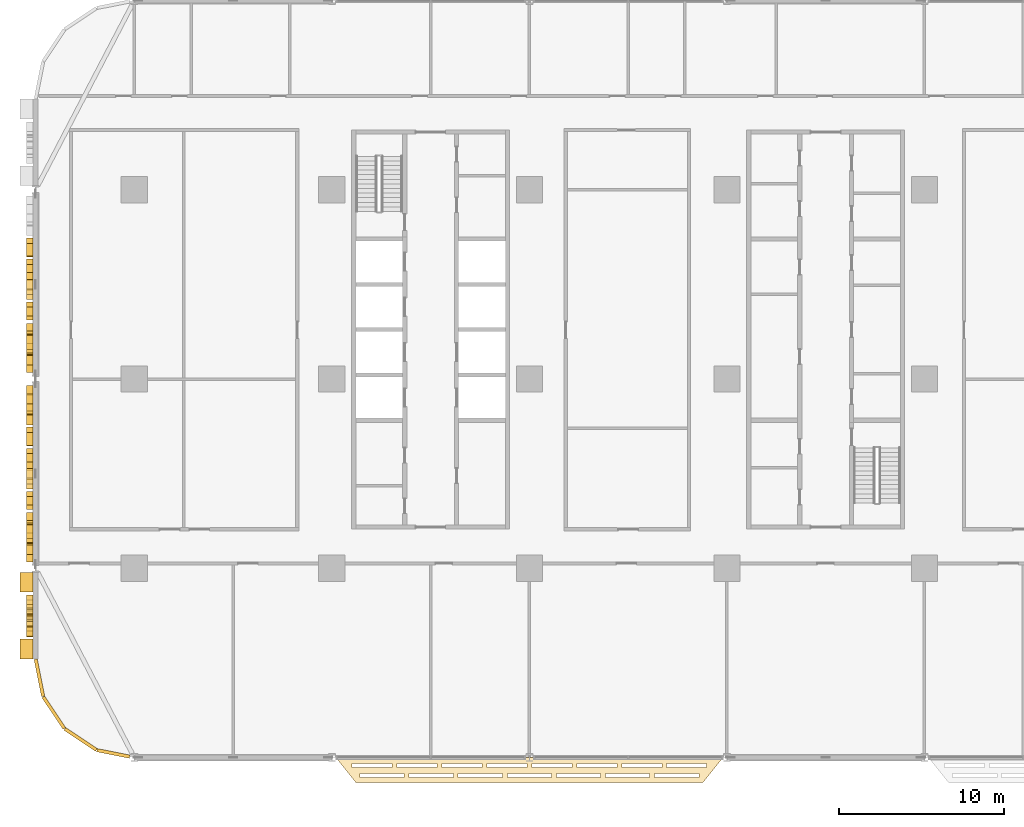
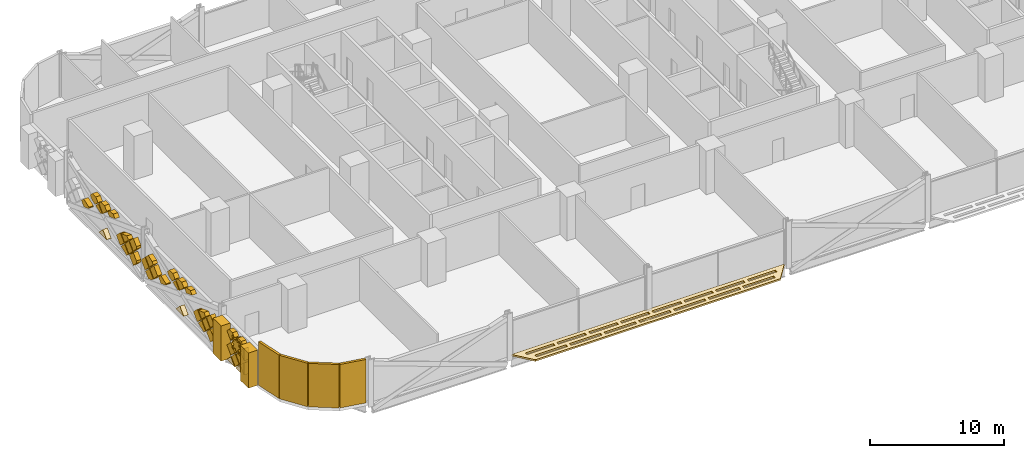
# One storey, part 22 of 28: 45 coverings.
"""IFC4 building model written with IfcOpenShell, lengths in metres."""

from ifc_helpers import new_model, si_unit, direction, frame, origin, origin_2d, place, context, subcontext, project, spatial, polyline, rectangle, outline, extrude, material, layer, layer_set, type_object, element, save


model = new_model("IFC4")

# Units and contexts
model_context = context("Model", 3, precision=1e-05, world=origin(), true_north=direction((0.0, 1.0)))
body_context = subcontext(model_context, "Body", "Model", "MODEL_VIEW")
ifc_project = project(units=[si_unit("LENGTHUNIT", "METRE"), si_unit("AREAUNIT", "SQUARE_METRE"), si_unit("VOLUMEUNIT", "CUBIC_METRE"), si_unit("PLANEANGLEUNIT", "RADIAN"), si_unit("MASSUNIT", "GRAM", prefix="KILO")], contexts=[model_context])

# Site, building, storey
site_placement = place(None, origin())
site = spatial("IfcSite", under=ifc_project, at=site_placement, CompositionType="ELEMENT")
building_placement = place(site_placement, origin())
building = spatial("IfcBuilding", under=site, at=building_placement, Name="Mahtab Terrace Research Tower", CompositionType="ELEMENT")
storey_placement = place(building_placement, frame((0.0, 0.0, 33.0)))
storey = spatial("IfcBuildingStorey", under=building, at=storey_placement, Name="L07", CompositionType="ELEMENT", Elevation=33.0)

# Coverings
ifc_material_1 = material(Name="Black aluminium cladding panel", Category="aluminium")
ifc_layer_1 = layer(ifc_material_1, 0.199951171875)
ifc_layer_set_1 = layer_set([ifc_layer_1], Name="Black metal corner cladding 200")
covering_type_1 = type_object("IfcCoveringType", Name="Black metal corner cladding 200", PredefinedType="CLADDING", material=ifc_layer_set_1)
for number, where, z_axis, x_axis, name in (
    (1, (-47.771484375, -18.14794921875, 0.0), (0.0, 0.0, 1.0), (0.195212442692, -0.980760981187, 0.0), "Corner cladding L07 18"),
    (2, (-46.89306640625, -20.26953125, 0.0), (0.0, 0.0, 1.0), (0.555291490808, -0.831655794326, 0.0), "Corner cladding L07 19"),
    (3, (-45.26953125, -21.89306640625, 0.0), (0.0, 0.0, 1.0), (0.831655794326, -0.555291490808, 0.0), "Corner cladding L07 20"),
):
    element("IfcCovering", number, at=place(storey_placement, frame(where, z_axis=z_axis, x_axis=x_axis)), inside=storey, type_object=covering_type_1, Name=name, PredefinedType="CLADDING", context=body_context, shape_type="SweptSolid", body=[
        extrude(rectangle(XDim=2.30126953125, YDim=0.199951171875, at=origin_2d()), origin(), (0.0, 0.0, 1.0), 3.9599609375),
    ])
covering_1_placement = place(storey_placement, frame((-43.28173828125, -22.744873046875, 0.0), z_axis=(0.0, 0.0, 1.0), x_axis=(0.980760981187, -0.195212442692, 0.0)))
element("IfcCovering", 4, at=covering_1_placement, inside=storey, type_object=covering_type_1, Name="Corner cladding L07 21", PredefinedType="CLADDING", context=body_context, shape_type="SweptSolid", body=[
    extrude(rectangle(XDim=2.0283203125, YDim=0.199951171875, at=origin_2d()), origin(), (0.0, 0.0, 1.0), 3.9599609375),
])
ifc_material_2 = material(Name="Black anodised aluminium", Category="aluminium")
ifc_layer_2 = layer(ifc_material_2, 0.14990234375)
ifc_layer_set_2 = layer_set([ifc_layer_2], Name="Horizontal sunshade band")
covering_type_2 = type_object("IfcCoveringType", Name="Horizontal sunshade band", PredefinedType="CLADDING", material=ifc_layer_set_2)
covering_2_placement = place(storey_placement, frame((0.0, 0.0, -0.14990234375)))
element("IfcCovering", 5, at=covering_2_placement, inside=storey, type_object=covering_type_2, Name="Sunshade band L07 23", PredefinedType="CLADDING", context=body_context, shape_type="SweptSolid", body=[
    extrude(outline(polyline([(-29.7509765625, -23.0), (-6.2490234375, -23.0), (-7.448974609375, -24.5), (-28.551025390625, -24.5), (-29.7509765625, -23.0)]), holes=[polyline([(-28.77099609375, -23.35009765625), (-26.341064453125, -23.35009765625), (-26.341064453125, -23.60009765625), (-28.77099609375, -23.60009765625), (-28.77099609375, -23.35009765625)]), polyline([(-26.041015625, -23.35009765625), (-23.611083984375, -23.35009765625), (-23.611083984375, -23.60009765625), (-26.041015625, -23.60009765625), (-26.041015625, -23.35009765625)]), polyline([(-23.31103515625, -23.35009765625), (-20.8798828125, -23.35009765625), (-20.8798828125, -23.60009765625), (-23.31103515625, -23.60009765625), (-23.31103515625, -23.35009765625)]), polyline([(-20.580078125, -23.35009765625), (-18.14990234375, -23.35009765625), (-18.14990234375, -23.60009765625), (-20.580078125, -23.60009765625), (-20.580078125, -23.35009765625)]), polyline([(-17.85009765625, -23.35009765625), (-15.419921875, -23.35009765625), (-15.419921875, -23.60009765625), (-17.85009765625, -23.60009765625), (-17.85009765625, -23.35009765625)]), polyline([(-15.1201171875, -23.35009765625), (-12.68994140625, -23.35009765625), (-12.68994140625, -23.60009765625), (-15.1201171875, -23.60009765625), (-15.1201171875, -23.35009765625)]), polyline([(-12.389892578125, -23.35009765625), (-9.958984375, -23.35009765625), (-9.958984375, -23.60009765625), (-12.389892578125, -23.60009765625), (-12.389892578125, -23.35009765625)]), polyline([(-9.658935546875, -23.35009765625), (-7.22900390625, -23.35009765625), (-7.22900390625, -23.60009765625), (-9.658935546875, -23.60009765625), (-9.658935546875, -23.35009765625)]), polyline([(-28.291015625, -23.949951171875), (-25.60791015625, -23.949951171875), (-25.60791015625, -24.199951171875), (-28.291015625, -24.199951171875), (-28.291015625, -23.949951171875)]), polyline([(-25.30810546875, -23.949951171875), (-22.625, -23.949951171875), (-22.625, -24.199951171875), (-25.30810546875, -24.199951171875), (-25.30810546875, -23.949951171875)]), polyline([(-22.324951171875, -23.949951171875), (-19.64208984375, -23.949951171875), (-19.64208984375, -24.199951171875), (-22.324951171875, -24.199951171875), (-22.324951171875, -23.949951171875)]), polyline([(-19.342041015625, -23.949951171875), (-16.657958984375, -23.949951171875), (-16.657958984375, -24.199951171875), (-19.342041015625, -24.199951171875), (-19.342041015625, -23.949951171875)]), polyline([(-16.35791015625, -23.949951171875), (-13.675048828125, -23.949951171875), (-13.675048828125, -24.199951171875), (-16.35791015625, -24.199951171875), (-16.35791015625, -23.949951171875)]), polyline([(-13.375, -23.949951171875), (-10.69189453125, -23.949951171875), (-10.69189453125, -24.199951171875), (-13.375, -24.199951171875), (-13.375, -23.949951171875)]), polyline([(-10.39208984375, -23.949951171875), (-7.708984375, -23.949951171875), (-7.708984375, -24.199951171875), (-10.39208984375, -24.199951171875), (-10.39208984375, -23.949951171875)])]), origin(), (0.0, 0.0, 1.0), 0.14990234375),
])
ifc_material_3 = material(Name="Bronze anodised aluminium", Category="aluminium")
ifc_layer_3 = layer(ifc_material_3, 0.39990234375)
ifc_layer_set_3 = layer_set([ifc_layer_3], Name="Mashrabiya relief panel 400")
covering_type_3 = type_object("IfcCoveringType", Name="Mashrabiya relief panel 400", PredefinedType="CLADDING", material=ifc_layer_set_3)
covering_3_placement = place(storey_placement, frame((-48.14990234375, 8.5810546875, 1.449951171875), z_axis=(1.0, 0.0, 0.0), x_axis=(0.0, -0.707106781187, 0.707106781187)))
element("IfcCovering", 6, at=covering_3_placement, inside=storey, type_object=covering_type_3, Name="Mashrabiya lattice cell L07 W15.5", PredefinedType="CLADDING", context=body_context, shape_type="SweptSolid", body=[
    extrude(outline(polyline([(0.0, 0.0), (0.47957583938872783, 0.0), (0.8203543516109556, 0.7481935521636957), (0.8203543516109556, 0.8203543516109556), (0.6648115757688952, 0.820181718119455), (0.0, 0.5175552075188646), (0.0, 0.0)])), origin(), (0.0, 0.0, -1.0), 0.39990234375),
])
covering_4_placement = place(storey_placement, frame((-48.14990234375, 7.281005859375, 2.75), z_axis=(1.0, 0.0, 0.0), x_axis=(0.0, -0.707106781187, 0.707106781187)))
element("IfcCovering", 7, at=covering_4_placement, inside=storey, type_object=covering_type_3, Name="Mashrabiya lattice cell L07 W15.6", PredefinedType="CLADDING", context=body_context, shape_type="SweptSolid", body=[
    extrude(outline(polyline([(0.0, 0.0), (0.44988287885062084, 0.0), (0.8203543516109556, 0.37047147276033476), (0.820181718119455, 0.820181718119455), (0.1980106147512134, 0.820181718119455), (0.0, 0.3873895549273957), (0.0, 0.0)])), origin(), (0.0, 0.0, -1.0), 0.39990234375),
])
covering_5_placement = place(storey_placement, frame((-48.14990234375, 6.051025390625, 2.679931640625), z_axis=(1.0, 0.0, 0.0), x_axis=(0.0, -0.707106781187, -0.707106781187)))
element("IfcCovering", 8, at=covering_5_placement, inside=storey, type_object=covering_type_3, Name="Mashrabiya lattice cell L07 W15.7", PredefinedType="CLADDING", context=body_context, shape_type="SweptSolid", body=[
    extrude(outline(polyline([(0.0, 0.0), (0.8089605411719145, 0.0), (0.6893255315619835, 0.2636113415214497), (0.0, 0.5783221965270836), (0.0, 0.0)])), origin(), (0.0, 0.0, -1.0), 0.39990234375),
])
covering_6_placement = place(storey_placement, frame((-48.14990234375, 5.98095703125, 0.14990234375), z_axis=(1.0, 0.0, 0.0), x_axis=(0.0, -0.706957176456, 0.707256354271)))
element("IfcCovering", 9, at=covering_6_placement, inside=storey, type_object=covering_type_3, Name="Mashrabiya lattice cell L07 W15.8", PredefinedType="CLADDING", context=body_context, shape_type="SweptSolid", body=[
    extrude(outline(polyline([(0.0, 0.0), (0.8160385325838049, 5.551115123125783e-17), (0.8200081897812366, 0.8203552097515207), (0.7989469042894457, 0.82035075422254), (-4.455528980705156e-06, 0.021061285491790822), (0.0, 0.0)])), origin(), (0.0, 0.0, -1.0), 0.39990234375),
])
covering_7_placement = place(storey_placement, frame((-48.14990234375, 4.821044921875, 2.75), z_axis=(1.0, 0.0, 0.0), x_axis=(0.0, 0.706957932274, -0.707255598772)))
element("IfcCovering", 10, at=covering_7_placement, inside=storey, type_object=covering_type_3, Name="Mashrabiya lattice cell L07 W15.9", PredefinedType="CLADDING", context=body_context, shape_type="SweptSolid", body=[
    extrude(outline(polyline([(0.0, 0.0), (0.8201817362875763, 0.0), (0.8200090664636573, 0.8203543334390104), (0.37029879472997757, 0.8204323110152163), (-0.00026728939914730243, 0.4497101990611949), (0.0, 0.0)])), origin(), (0.0, 0.0, -1.0), 0.39990234375),
])
covering_8_placement = place(storey_placement, frame((-48.14990234375, 4.680908203125, 2.75), z_axis=(1.0, 0.0, 0.0), x_axis=(0.0, -0.706835286964, 0.707378171209)))
element("IfcCovering", 11, at=covering_8_placement, inside=storey, type_object=covering_type_3, Name="Mashrabiya lattice cell L07 W15.10", PredefinedType="CLADDING", context=body_context, shape_type="SweptSolid", body=[
    extrude(outline(polyline([(0.0, 0.0), (0.44971027849414613, 0.0), (0.8200395084317461, 0.3706136609897794), (0.8199020643492158, 0.7286554959812483), (-0.00013572106124498662, 0.353553364543167), (0.0, 0.0)])), origin(), (0.0, 0.0, -1.0), 0.39990234375),
])
covering_9_placement = place(storey_placement, frame((-48.14990234375, 3.381103515625, 1.449951171875), z_axis=(1.0, 0.0, 0.0), x_axis=(0.0, -0.707106781187, 0.707106781187)))
element("IfcCovering", 12, at=covering_9_placement, inside=storey, type_object=covering_type_3, Name="Mashrabiya lattice cell L07 W15.11", PredefinedType="CLADDING", context=body_context, shape_type="SweptSolid", body=[
    extrude(outline(polyline([(0.0, 0.0), (0.6618768064133846, 0.0), (0.8203543516109556, 0.07216079944725995), (0.8203543516109556, 0.8203543516109556), (0.034008797825622494, 0.820181718119455), (0.0001726334915006511, 0.745258782808185), (0.0, 0.0)])), origin(), (0.0, 0.0, -1.0), 0.39990234375),
])
covering_10_placement = place(storey_placement, frame((-48.14990234375, 2.15087890625, 1.3798828125), z_axis=(1.0, 0.0, 0.0), x_axis=(0.0, -0.707106781187, -0.707106781187)))
element("IfcCovering", 13, at=covering_10_placement, inside=storey, type_object=covering_type_3, Name="Mashrabiya lattice cell L07 W15.12", PredefinedType="CLADDING", context=body_context, shape_type="SweptSolid", body=[
    extrude(outline(polyline([(0.0, 0.0), (0.8200090846279543, 0.0), (0.8200090846279543, 0.3663282689643198), (-0.0001726334915005956, 0.7411155790121702), (0.0, 0.0)])), origin(), (0.0, 0.0, -1.0), 0.39990234375),
])
covering_11_placement = place(storey_placement, frame((-48.14990234375, 1.571044921875, 2.10009765625), z_axis=(1.0, 0.0, 0.0), x_axis=(0.0, 0.706957932274, -0.707255598772)))
element("IfcCovering", 14, at=covering_11_placement, inside=storey, type_object=covering_type_3, Name="Mashrabiya lattice cell L07 W15.13", PredefinedType="CLADDING", context=body_context, shape_type="SweptSolid", body=[
    extrude(outline(polyline([(0.0, 0.0), (0.8201817362875763, 0.0), (0.8200337751084942, 0.70296356181895), (-6.932955051291989e-05, 0.3293846944868754), (0.0, 0.0)])), origin(), (0.0, 0.0, -1.0), 0.39990234375),
])
covering_12_placement = place(storey_placement, frame((-48.14990234375, 1.5009765625, 2.030029296875), z_axis=(1.0, 0.0, 0.0), x_axis=(0.0, -0.707106781187, -0.707106781187)))
element("IfcCovering", 15, at=covering_12_placement, inside=storey, type_object=covering_type_3, Name="Mashrabiya lattice cell L07 W15.14", PredefinedType="CLADDING", context=body_context, shape_type="SweptSolid", body=[
    extrude(outline(polyline([(0.0, 0.0), (0.8203543516109556, 0.0), (0.820181718119455, 0.820181718119455), (0.0, 0.8203543516109556), (0.0, 0.0)])), origin(), (0.0, 0.0, -1.0), 0.39990234375),
])
covering_13_placement = place(storey_placement, frame((-48.14990234375, 0.85107421875, 0.219970703125), z_axis=(1.0, 0.0, 0.0), x_axis=(0.0, 0.706957932274, 0.707255598772)))
element("IfcCovering", 16, at=covering_13_placement, inside=storey, type_object=covering_type_3, Name="Mashrabiya lattice cell L07 W15.15", PredefinedType="CLADDING", context=body_context, shape_type="SweptSolid", body=[
    extrude(outline(polyline([(0.0, 0.0), (0.8201817362875763, 0.0), (0.8203543334390104, 0.8200090664636573), (0.16003127941241302, 0.8203206860785415), (0.00013902246344993374, 0.6604957238505165), (0.0, 0.0)])), origin(), (0.0, 0.0, -1.0), 0.39990234375),
])
covering_14_placement = place(storey_placement, frame((-48.14990234375, 0.85107421875, 1.52001953125), z_axis=(1.0, 0.0, 0.0), x_axis=(0.0, 0.706957932274, 0.707255598772)))
element("IfcCovering", 17, at=covering_14_placement, inside=storey, type_object=covering_type_3, Name="Mashrabiya lattice cell L07 W15.16", PredefinedType="CLADDING", context=body_context, shape_type="SweptSolid", body=[
    extrude(outline(polyline([(0.0, 0.0), (0.8201817362875763, 0.0), (0.8203543334390104, 0.8200090664636573), (0.15985860958849407, 0.8201480889271073), (0.00013902246344993374, 0.6604957238505165), (0.0, 0.0)])), origin(), (0.0, 0.0, -1.0), 0.39990234375),
])
covering_15_placement = place(storey_placement, frame((-48.14990234375, -0.89892578125, 2.030029296875), z_axis=(1.0, 0.0, 0.0), x_axis=(0.0, -0.707106781187, -0.707106781187)))
element("IfcCovering", 18, at=covering_15_placement, inside=storey, type_object=covering_type_3, Name="Mashrabiya lattice cell L07 W16.1", PredefinedType="CLADDING", context=body_context, shape_type="SweptSolid", body=[
    extrude(outline(polyline([(0.0, 0.0), (0.8203543516109556, 0.0), (0.820181718119455, 0.820181718119455), (0.0920136509698315, 0.820181718119455), (0.0001726334915005956, 0.728340700641124), (0.0, 0.0)])), origin(), (0.0, 0.0, -1.0), 0.39990234375),
])
covering_16_placement = place(storey_placement, frame((-48.14990234375, -0.968994140625, 0.800048828125), z_axis=(1.0, 0.0, 0.0), x_axis=(0.0, -0.707255598772, 0.706957932274)))
element("IfcCovering", 19, at=covering_16_placement, inside=storey, type_object=covering_type_3, Name="Mashrabiya lattice cell L07 W16.2", PredefinedType="CLADDING", context=body_context, shape_type="SweptSolid", body=[
    extrude(outline(polyline([(0.0, 0.0), (0.8201817362875763, 0.0), (0.8203543334390104, 0.8200090664636573), (0.4866538380964635, 0.820251937907907), (0.00012594141618332833, 0.5983476682869551), (0.0, 0.0)])), origin(), (0.0, 0.0, -1.0), 0.39990234375),
])
covering_17_placement = place(storey_placement, frame((-48.14990234375, -2.12890625, 2.10009765625), z_axis=(1.0, 0.0, 0.0), x_axis=(0.0, 0.706957932274, -0.707255598772)))
element("IfcCovering", 20, at=covering_17_placement, inside=storey, type_object=covering_type_3, Name="Mashrabiya lattice cell L07 W16.3", PredefinedType="CLADDING", context=body_context, shape_type="SweptSolid", body=[
    extrude(outline(polyline([(0.0, 0.0), (0.8201817362875763, 0.0), (0.8200090664636573, 0.8203543334390104), (0.2599860324408986, 0.8202364586686415), (-5.268755149043236e-05, 0.25031855713101114), (0.0, 0.0)])), origin(), (0.0, 0.0, -1.0), 0.39990234375),
])
covering_18_placement = place(storey_placement, frame((-48.14990234375, -2.198974609375, 2.030029296875), z_axis=(1.0, 0.0, 0.0), x_axis=(0.0, -0.707106781187, -0.707106781187)))
element("IfcCovering", 21, at=covering_18_placement, inside=storey, type_object=covering_type_3, Name="Mashrabiya lattice cell L07 W16.4", PredefinedType="CLADDING", context=body_context, shape_type="SweptSolid", body=[
    extrude(outline(polyline([(0.0, 0.0), (0.8203543516109556, 0.0), (0.820181718119455, 0.820181718119455), (0.0, 0.8203543516109556), (0.0, 0.0)])), origin(), (0.0, 0.0, -1.0), 0.39990234375),
])
covering_19_placement = place(storey_placement, frame((-48.14990234375, -2.9189453125, 1.449951171875), z_axis=(1.0, 0.0, 0.0), x_axis=(0.0, -0.707106781187, 0.707106781187)))
element("IfcCovering", 22, at=covering_19_placement, inside=storey, type_object=covering_type_3, Name="Mashrabiya lattice cell L07 W16.5", PredefinedType="CLADDING", context=body_context, shape_type="SweptSolid", body=[
    extrude(outline(polyline([(0.0, 0.0), (0.47957583938872783, 0.0), (0.8203543516109556, 0.7481935521636957), (0.8203543516109556, 0.8203543516109556), (0.6648115757688952, 0.820181718119455), (0.0, 0.5175552075188646), (0.0, 0.0)])), origin(), (0.0, 0.0, -1.0), 0.39990234375),
])
covering_20_placement = place(storey_placement, frame((-48.14990234375, -4.218994140625, 2.75), z_axis=(1.0, 0.0, 0.0), x_axis=(0.0, -0.707106781187, 0.707106781187)))
element("IfcCovering", 23, at=covering_20_placement, inside=storey, type_object=covering_type_3, Name="Mashrabiya lattice cell L07 W16.6", PredefinedType="CLADDING", context=body_context, shape_type="SweptSolid", body=[
    extrude(outline(polyline([(0.0, 0.0), (0.44988287885062084, 0.0), (0.8203543516109556, 0.37047147276033476), (0.820181718119455, 0.820181718119455), (0.1980106147512134, 0.820181718119455), (0.0, 0.3873895549273957), (0.0, 0.0)])), origin(), (0.0, 0.0, -1.0), 0.39990234375),
])
covering_21_placement = place(storey_placement, frame((-48.14990234375, -5.448974609375, 2.679931640625), z_axis=(1.0, 0.0, 0.0), x_axis=(0.0, -0.707106781187, -0.707106781187)))
element("IfcCovering", 24, at=covering_21_placement, inside=storey, type_object=covering_type_3, Name="Mashrabiya lattice cell L07 W16.7", PredefinedType="CLADDING", context=body_context, shape_type="SweptSolid", body=[
    extrude(outline(polyline([(0.0, 0.0), (0.8089605411719145, 0.0), (0.6893255315619835, 0.2636113415214497), (0.0, 0.5783221965270836), (0.0, 0.0)])), origin(), (0.0, 0.0, -1.0), 0.39990234375),
])
covering_22_placement = place(storey_placement, frame((-48.14990234375, -5.51904296875, 0.14990234375), z_axis=(1.0, 0.0, 0.0), x_axis=(0.0, -0.706957176456, 0.707256354271)))
element("IfcCovering", 25, at=covering_22_placement, inside=storey, type_object=covering_type_3, Name="Mashrabiya lattice cell L07 W16.8", PredefinedType="CLADDING", context=body_context, shape_type="SweptSolid", body=[
    extrude(outline(polyline([(0.0, 0.0), (0.8160385325838049, 5.551115123125783e-17), (0.8200081897812366, 0.8203552097515207), (0.7989469042894457, 0.82035075422254), (-4.455528980705156e-06, 0.021061285491790822), (0.0, 0.0)])), origin(), (0.0, 0.0, -1.0), 0.39990234375),
])
covering_23_placement = place(storey_placement, frame((-48.14990234375, -6.678955078125, 2.75), z_axis=(1.0, 0.0, 0.0), x_axis=(0.0, 0.706957932274, -0.707255598772)))
element("IfcCovering", 26, at=covering_23_placement, inside=storey, type_object=covering_type_3, Name="Mashrabiya lattice cell L07 W16.9", PredefinedType="CLADDING", context=body_context, shape_type="SweptSolid", body=[
    extrude(outline(polyline([(0.0, 0.0), (0.8201817362875763, 0.0), (0.8200090664636573, 0.8203543334390104), (0.37029879472997757, 0.8204323110152163), (-0.00026728939914730243, 0.4497101990611949), (0.0, 0.0)])), origin(), (0.0, 0.0, -1.0), 0.39990234375),
])
covering_24_placement = place(storey_placement, frame((-48.14990234375, -6.819091796875, 2.75), z_axis=(1.0, 0.0, 0.0), x_axis=(0.0, -0.706835286964, 0.707378171209)))
element("IfcCovering", 27, at=covering_24_placement, inside=storey, type_object=covering_type_3, Name="Mashrabiya lattice cell L07 W16.10", PredefinedType="CLADDING", context=body_context, shape_type="SweptSolid", body=[
    extrude(outline(polyline([(0.0, 0.0), (0.44971027849414613, 0.0), (0.8200395084317461, 0.3706136609897794), (0.8199020643492158, 0.7286554959812483), (-0.00013572106124498662, 0.353553364543167), (0.0, 0.0)])), origin(), (0.0, 0.0, -1.0), 0.39990234375),
])
covering_25_placement = place(storey_placement, frame((-48.14990234375, -8.118896484375, 1.449951171875), z_axis=(1.0, 0.0, 0.0), x_axis=(0.0, -0.707106781187, 0.707106781187)))
element("IfcCovering", 28, at=covering_25_placement, inside=storey, type_object=covering_type_3, Name="Mashrabiya lattice cell L07 W16.11", PredefinedType="CLADDING", context=body_context, shape_type="SweptSolid", body=[
    extrude(outline(polyline([(0.0, 0.0), (0.6618768064133846, 0.0), (0.8203543516109556, 0.07216079944725995), (0.8203543516109556, 0.8203543516109556), (0.034008797825622494, 0.820181718119455), (0.0001726334915006511, 0.745258782808185), (0.0, 0.0)])), origin(), (0.0, 0.0, -1.0), 0.39990234375),
])
covering_26_placement = place(storey_placement, frame((-48.14990234375, -9.34912109375, 1.3798828125), z_axis=(1.0, 0.0, 0.0), x_axis=(0.0, -0.707106781187, -0.707106781187)))
element("IfcCovering", 29, at=covering_26_placement, inside=storey, type_object=covering_type_3, Name="Mashrabiya lattice cell L07 W16.12", PredefinedType="CLADDING", context=body_context, shape_type="SweptSolid", body=[
    extrude(outline(polyline([(0.0, 0.0), (0.8200090846279543, 0.0), (0.8200090846279543, 0.3663282689643198), (-0.0001726334915005956, 0.7411155790121702), (0.0, 0.0)])), origin(), (0.0, 0.0, -1.0), 0.39990234375),
])
covering_27_placement = place(storey_placement, frame((-48.14990234375, -9.928955078125, 2.10009765625), z_axis=(1.0, 0.0, 0.0), x_axis=(0.0, 0.706957932274, -0.707255598772)))
element("IfcCovering", 30, at=covering_27_placement, inside=storey, type_object=covering_type_3, Name="Mashrabiya lattice cell L07 W16.13", PredefinedType="CLADDING", context=body_context, shape_type="SweptSolid", body=[
    extrude(outline(polyline([(0.0, 0.0), (0.8201817362875763, 0.0), (0.8200337751084942, 0.70296356181895), (-6.932955051291989e-05, 0.3293846944868754), (0.0, 0.0)])), origin(), (0.0, 0.0, -1.0), 0.39990234375),
])
covering_28_placement = place(storey_placement, frame((-48.14990234375, -9.9990234375, 2.030029296875), z_axis=(1.0, 0.0, 0.0), x_axis=(0.0, -0.707106781187, -0.707106781187)))
element("IfcCovering", 31, at=covering_28_placement, inside=storey, type_object=covering_type_3, Name="Mashrabiya lattice cell L07 W16.14", PredefinedType="CLADDING", context=body_context, shape_type="SweptSolid", body=[
    extrude(outline(polyline([(0.0, 0.0), (0.8203543516109556, 0.0), (0.820181718119455, 0.820181718119455), (0.0, 0.8203543516109556), (0.0, 0.0)])), origin(), (0.0, 0.0, -1.0), 0.39990234375),
])
covering_29_placement = place(storey_placement, frame((-48.14990234375, -10.64892578125, 0.219970703125), z_axis=(1.0, 0.0, 0.0), x_axis=(0.0, 0.706957932274, 0.707255598772)))
element("IfcCovering", 32, at=covering_29_placement, inside=storey, type_object=covering_type_3, Name="Mashrabiya lattice cell L07 W16.15", PredefinedType="CLADDING", context=body_context, shape_type="SweptSolid", body=[
    extrude(outline(polyline([(0.0, 0.0), (0.8201817362875763, 0.0), (0.8203543334390104, 0.8200090664636573), (0.16003127941241302, 0.8203206860785415), (0.00013902246344993374, 0.6604957238505165), (0.0, 0.0)])), origin(), (0.0, 0.0, -1.0), 0.39990234375),
])
covering_30_placement = place(storey_placement, frame((-48.14990234375, -10.64892578125, 1.52001953125), z_axis=(1.0, 0.0, 0.0), x_axis=(0.0, 0.706957932274, 0.707255598772)))
element("IfcCovering", 33, at=covering_30_placement, inside=storey, type_object=covering_type_3, Name="Mashrabiya lattice cell L07 W16.16", PredefinedType="CLADDING", context=body_context, shape_type="SweptSolid", body=[
    extrude(outline(polyline([(0.0, 0.0), (0.8201817362875763, 0.0), (0.8203543334390104, 0.8200090664636573), (0.15985860958849407, 0.8201480889271073), (0.00013902246344993374, 0.6604957238505165), (0.0, 0.0)])), origin(), (0.0, 0.0, -1.0), 0.39990234375),
])
covering_31_placement = place(storey_placement, frame((-48.14990234375, -14.64404296875, 2.60107421875), z_axis=(1.0, 0.0, 0.0), x_axis=(0.0, -0.924691461768, 0.380717349925)))
element("IfcCovering", 34, at=covering_31_placement, inside=storey, type_object=covering_type_3, Name="Girih star panel L07 W17.1", PredefinedType="CLADDING", context=body_context, shape_type="SweptSolid", body=[
    extrude(outline(polyline([(0.0, 0.0), (0.3783462161056796, 2.7755575615628914e-17), (0.11208841562376498, 0.2689856047531158), (0.3794805037610448, 0.5359074361332754), (0.001665512373961231, 0.5371822494259442), (0.00134680905079404, 0.9156612717112728), (-0.26732009237915455, 0.6492706650497092), (-0.5342419237593141, 0.9166627531869891), (-0.535516737051983, 0.5388477617999055), (-0.9140887079090707, 0.5387548132281463), (-0.647605152675748, 0.2698621570467897), (-0.9149972408130278, 0.0029403256666300503), (-0.5371822494259442, 0.001665512373961231), (-0.537089300854185, -0.3769064584831264), (-0.26819664467282844, -0.11042290324980375), (-0.0012748132926687916, -0.3778149913870835), (0.0, 0.0)])), origin(), (0.0, 0.0, -1.0), 0.39990234375),
])
covering_32_placement = place(storey_placement, frame((-48.14990234375, -13.118896484375, 0.14990234375), z_axis=(1.0, 0.0, 0.0), x_axis=(0.0, -0.707106781187, 0.707106781187)))
element("IfcCovering", 35, at=covering_32_placement, inside=storey, type_object=covering_type_3, Name="Mashrabiya lattice cell L07 W17.2", PredefinedType="CLADDING", context=body_context, shape_type="SweptSolid", body=[
    extrude(outline(polyline([(0.0, 0.0), (0.8203543516109556, 0.0), (0.8203543516109556, 0.8203543516109556), (0.7991204321563791, 0.820181718119455), (0.00017263349150062335, 0.021233919454576502), (0.0, 0.0)])), origin(), (0.0, 0.0, -1.0), 0.39990234375),
])
covering_33_placement = place(storey_placement, frame((-48.14990234375, -14.279052734375, 1.449951171875), z_axis=(1.0, 0.0, 0.0), x_axis=(0.0, 0.707255598772, -0.706957932274)))
element("IfcCovering", 36, at=covering_33_placement, inside=storey, type_object=covering_type_3, Name="Mashrabiya lattice cell L07 W17.3", PredefinedType="CLADDING", context=body_context, shape_type="SweptSolid", body=[
    extrude(outline(polyline([(0.0, 0.0), (0.8201817362875763, 0.0), (0.8205270032629295, 0.8201816636150915), (0.00017266982391900276, 0.8203543334390104), (0.00011518588843079103, 0.5472481559346933), (0.08417653916049625, 0.4942319794679374), (0.11402400074357985, 0.4080815829473978), (0.08206910977336403, 0.3240157966537586), (5.7483935488156224e-05, 0.27310617750431704), (0.0, 0.0)])), origin(), (0.0, 0.0, -1.0), 0.39990234375),
])
covering_34_placement = place(storey_placement, frame((-48.14990234375, -13.118896484375, 2.75), z_axis=(1.0, 0.0, 0.0), x_axis=(0.0, -0.707106781187, 0.707106781187)))
element("IfcCovering", 37, at=covering_34_placement, inside=storey, type_object=covering_type_3, Name="Mashrabiya lattice cell L07 W17.4", PredefinedType="CLADDING", context=body_context, shape_type="SweptSolid", body=[
    extrude(outline(polyline([(0.0, 0.0), (0.44988287885062084, 0.0), (0.8203543516109556, 0.37047147276033476), (0.8203543516109555, 0.7537178238917155), (0.7276501666751215, 0.5453491996504648), (0.6755148522419337, 0.5056434966053217), (0.6202721349617347, 0.49424968616628073), (0.5572609105640077, 0.5106498678588397), (0.5113404018248422, 0.5524271728019903), (0.40378973661995476, 0.8025731019863915), (0.1294751186254665, 0.6995109075605201), (0.05092687999268347, 0.7228164289131043), (0.0, 0.7892803231408436), (0.0, 0.0)])), origin(), (0.0, 0.0, -1.0), 0.39990234375),
])
covering_35_placement = place(storey_placement, frame((-48.14990234375, -14.34912109375, 1.3798828125), z_axis=(1.0, 0.0, 0.0), x_axis=(0.0, -0.707106781187, -0.707106781187)))
element("IfcCovering", 38, at=covering_35_placement, inside=storey, type_object=covering_type_3, Name="Mashrabiya lattice cell L07 W17.5", PredefinedType="CLADDING", context=body_context, shape_type="SweptSolid", body=[
    extrude(outline(polyline([(0.0, 0.0), (0.8200090846279543, 0.0), (0.820181718119455, 0.820181718119455), (-0.0001726334915006511, 0.820181718119455), (0.0, 0.0)])), origin(), (0.0, 0.0, -1.0), 0.39990234375),
])
covering_36_placement = place(storey_placement, frame((-48.14990234375, -14.4189453125, 0.14990234375), z_axis=(1.0, 0.0, 0.0), x_axis=(0.0, -0.707106781187, 0.707106781187)))
element("IfcCovering", 39, at=covering_36_placement, inside=storey, type_object=covering_type_3, Name="Mashrabiya lattice cell L07 W17.6", PredefinedType="CLADDING", context=body_context, shape_type="SweptSolid", body=[
    extrude(outline(polyline([(0.0, 0.0), (0.8203543516109556, 0.0), (0.8203543516109556, 0.8203543516109556), (0.7991204321563791, 0.820181718119455), (0.00017263349150062335, 0.021233919454576502), (0.0, 0.0)])), origin(), (0.0, 0.0, -1.0), 0.39990234375),
])
covering_37_placement = place(storey_placement, frame((-48.14990234375, -15.5791015625, 1.449951171875), z_axis=(1.0, 0.0, 0.0), x_axis=(0.0, 0.707255598772, -0.706957932274)))
element("IfcCovering", 40, at=covering_37_placement, inside=storey, type_object=covering_type_3, Name="Mashrabiya lattice cell L07 W17.7", PredefinedType="CLADDING", context=body_context, shape_type="SweptSolid", body=[
    extrude(outline(polyline([(0.0, 0.0), (0.8201817362875763, 0.0), (0.8205204627392961, 0.7891076358333108), (0.7695795944213842, 0.7226544622693455), (0.6910264521358248, 0.6993654744233052), (0.4167335329544889, 0.8024854048553962), (0.3091302189167444, 0.5523621186910813), (0.26043849133135283, 0.5092139935923002), (0.20035891270306314, 0.49438015866447393), (0.13579711322887691, 0.5092402283593183), (0.09281896907207673, 0.5453296750080786), (0.0003313138582687336, 0.7538904043472927), (0.0, 0.0)])), origin(), (0.0, 0.0, -1.0), 0.39990234375),
])
covering_38_placement = place(storey_placement, frame((-48.14990234375, -15.5791015625, 2.75), z_axis=(1.0, 0.0, 0.0), x_axis=(0.0, 0.707106781187, -0.707106781187)))
element("IfcCovering", 41, at=covering_38_placement, inside=storey, type_object=covering_type_3, Name="Mashrabiya lattice cell L07 W17.8", PredefinedType="CLADDING", context=body_context, shape_type="SweptSolid", body=[
    extrude(outline(polyline([(0.0, 0.0), (0.5106498678588398, 0.0), (0.5905791744236277, 0.19179580905719104), (0.3402606117477259, 0.29917384077057785), (0.29710223887257037, 0.34785648537375324), (0.2822557586035169, 0.4124214111949859), (0.2971022388725704, 0.4724978662372023), (0.34026061174772587, 0.5211805108403778), (0.5904065409321271, 0.6287311760452652), (0.5106498678588398, 0.8203543516109555), (0.37047147276033476, 0.8203543516109556), (0.0, 0.44988287885062084), (0.0, 0.0)])), origin(), (0.0, 0.0, -1.0), 0.39990234375),
])
covering_39_placement = place(storey_placement, frame((-48.14990234375, -15.64892578125, 0.219970703125), z_axis=(1.0, 0.0, 0.0), x_axis=(0.0, 0.706957932274, 0.707255598772)))
element("IfcCovering", 42, at=covering_39_placement, inside=storey, type_object=covering_type_3, Name="Mashrabiya lattice cell L07 W17.9", PredefinedType="CLADDING", context=body_context, shape_type="SweptSolid", body=[
    extrude(outline(polyline([(0.0, 0.0), (0.8201817362875763, 0.0), (0.8203543334390104, 0.8200090664636573), (0.7977393828896235, 0.8201864599990892), (4.796383997748149e-06, 0.022787620373305846), (0.0, 0.0)])), origin(), (0.0, 0.0, -1.0), 0.39990234375),
])
covering_40_placement = place(storey_placement, frame((-48.14990234375, -15.64892578125, 1.52001953125), z_axis=(1.0, 0.0, 0.0), x_axis=(0.0, 0.707106781187, 0.707106781187)))
element("IfcCovering", 43, at=covering_40_placement, inside=storey, type_object=covering_type_3, Name="Mashrabiya lattice cell L07 W17.10", PredefinedType="CLADDING", context=body_context, shape_type="SweptSolid", body=[
    extrude(outline(polyline([(0.0, 0.0), (0.7692548381267715, 0.0), (0.705553079763042, 0.15692384377406537), (0.7000288080350221, 0.20940442519025443), (0.737490275690657, 0.2920958676190523), (0.820181718119455, 0.3323194711386973), (0.820181718119455, 0.820181718119455), (0.7975667307328734, 0.8203543516109556), (-0.00017263349150062161, 0.022614987386581478), (0.0, 0.0)])), origin(), (0.0, 0.0, -1.0), 0.39990234375),
])
ifc_material_4 = material(Name="Glazed ceramic tile cladding", Category="masonry")
ifc_layer_4 = layer(ifc_material_4, 0.800048828125)
ifc_layer_set_4 = layer_set([ifc_layer_4], Name="Pishtaq frame pier 800")
covering_type_4 = type_object("IfcCoveringType", Name="Pishtaq frame pier 800", PredefinedType="CLADDING", material=ifc_layer_set_4)
for number, where, z_axis, x_axis, name in (
    (44, (-48.550048828125, -12.34912109375, 0.00048828125), (0.0, 0.0, 1.0), (0.0, -1.0, 0.0), "Pishtaq frame pier 17a"),
    (45, (-48.550048828125, -16.39990234375, 0.00048828125), (0.0, 0.0, 1.0), (0.0, -1.0, 0.0), "Pishtaq frame pier 17b"),
):
    element("IfcCovering", number, at=place(storey_placement, frame(where, z_axis=z_axis, x_axis=x_axis)), inside=storey, type_object=covering_type_4, Name=name, PredefinedType="CLADDING", context=body_context, shape_type="SweptSolid", body=[
        extrude(rectangle(XDim=1.199951171875, YDim=0.800048828125, at=origin_2d()), origin(), (0.0, 0.0, 1.0), 3.202880859375),
    ])

save(model, "model.ifc")
